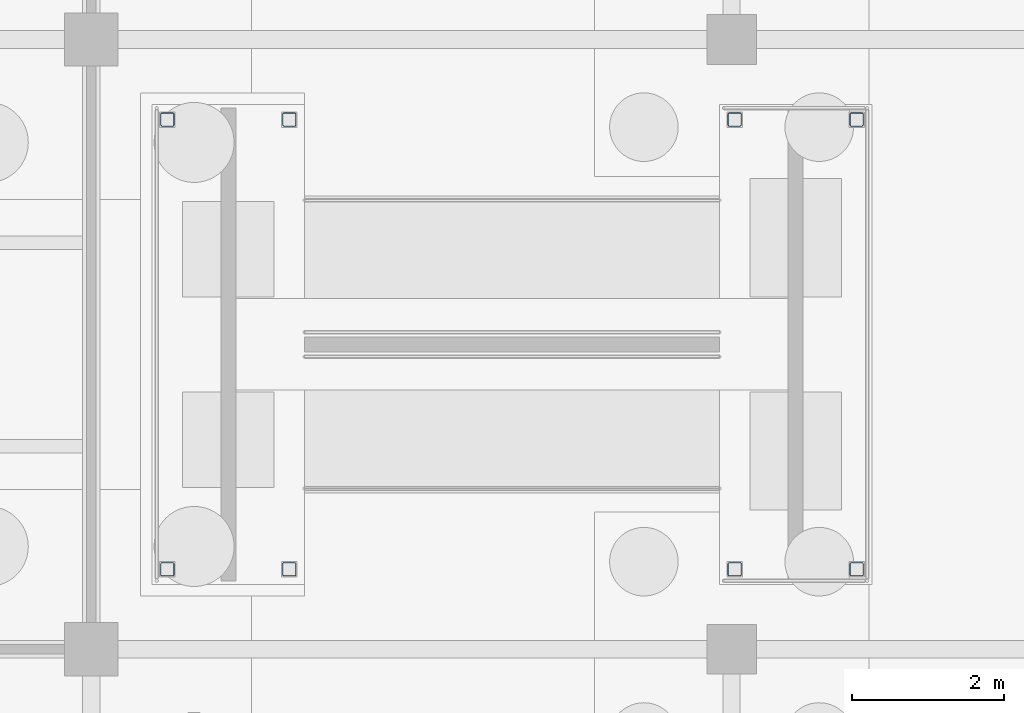
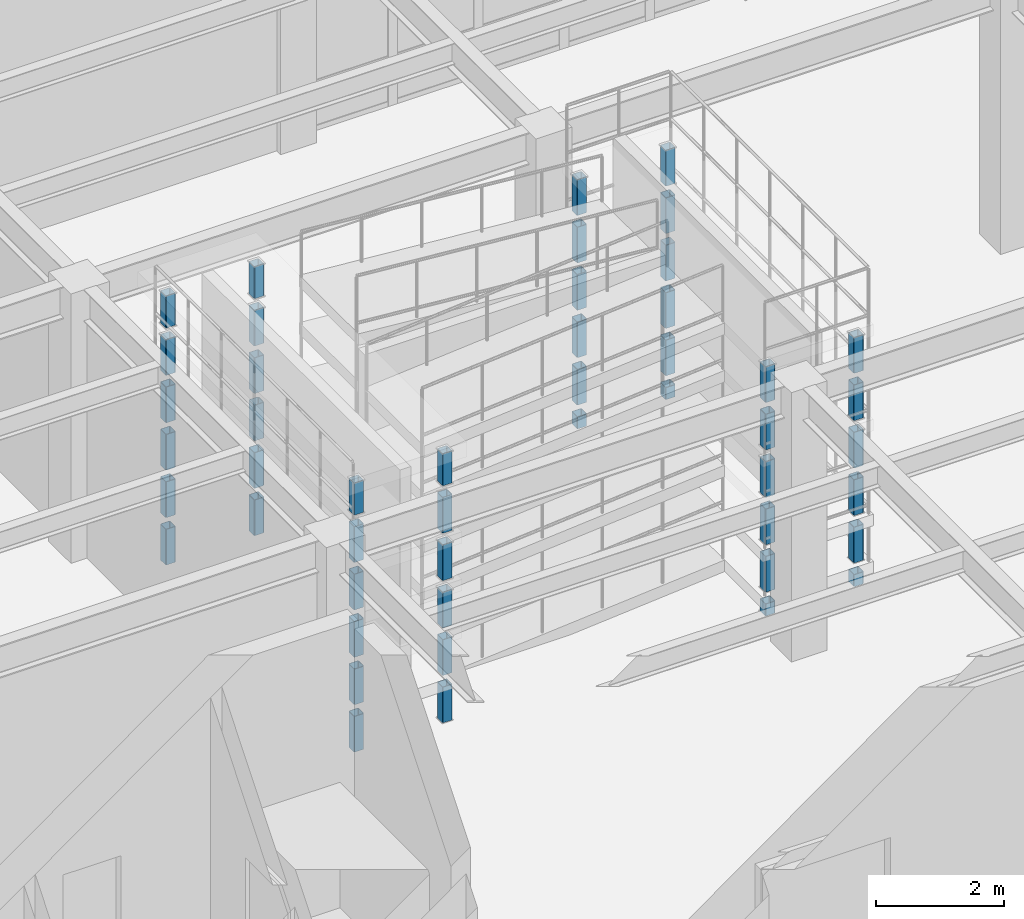
# One storey, part 21 of 138: 48 columns.
"""IFC4 building model written with IfcOpenShell, lengths in metres."""

from ifc_helpers import new_model, si_unit, direction, frame, origin, origin_2d, place, context, subcontext, project, spatial, hollow_rectangle, extrude, material, material_profile, profile_set, type_object, element, save


model = new_model("IFC4")

# Units and contexts
model_context = context("Model", 3, precision=1e-05, world=origin(), true_north=direction((0.0, 1.0)))
body_context = subcontext(model_context, "Body", "Model", "MODEL_VIEW")
ifc_project = project(units=[si_unit("LENGTHUNIT", "METRE"), si_unit("AREAUNIT", "SQUARE_METRE"), si_unit("VOLUMEUNIT", "CUBIC_METRE"), si_unit("PLANEANGLEUNIT", "RADIAN"), si_unit("MASSUNIT", "GRAM", prefix="KILO")], contexts=[model_context])

# Site, building, storey
site_placement = place(None, origin())
site = spatial("IfcSite", under=ifc_project, at=site_placement, CompositionType="ELEMENT")
building_placement = place(site_placement, origin())
building = spatial("IfcBuilding", under=site, at=building_placement, Name="Kranzveld Transit Interchange", CompositionType="ELEMENT")
storey_placement = place(building_placement, origin())
storey = spatial("IfcBuildingStorey", under=building, at=storey_placement, Name="L00", CompositionType="ELEMENT", Elevation=0.0)

# Columns
ifc_material = material(Name="Steel S355JR", Category="steel")
ifc_material_profile = material_profile(ifc_material, hollow_rectangle(XDim=0.179931640625, YDim=0.179931640625, WallThickness=0.008056640625, InnerFilletRadius=0.011962890625, OuterFilletRadius=0.02001953125, at=origin_2d()), Name="SHS 180x180x8")
ifc_profile_set = profile_set([ifc_material_profile], Name="Steel S355JR")
column_type = type_object("IfcColumnType", Name="Landing Post SHS 180x180x8 S355JR", PredefinedType="COLUMN", material=ifc_profile_set)
for number, where, z_axis, x_axis, name in (
    (1, (25.239990234375, 25.050048828125, 0.001953125), (0.0, 0.0, 1.0), (1.0, 0.0, 0.0), "L00 RMP-1 Landing 1 Support Post 1"),
    (2, (25.239990234375, 30.949951171875, 0.001953125), (0.0, 0.0, 1.0), (1.0, 0.0, 0.0), "L00 RMP-1 Landing 1 Support Post 2"),
    (3, (26.840087890625, 25.050048828125, 0.001953125), (0.0, 0.0, 1.0), (1.0, 0.0, 0.0), "L00 RMP-1 Landing 1 Support Post 3"),
    (4, (26.840087890625, 30.949951171875, 0.001953125), (0.0, 0.0, 1.0), (1.0, 0.0, 0.0), "L00 RMP-1 Landing 1 Support Post 4"),
):
    element("IfcColumn", number, at=place(storey_placement, frame(where, z_axis=z_axis, x_axis=x_axis)), inside=storey, type_object=column_type, Name=name, PredefinedType="COLUMN", context=body_context, shape_type="SweptSolid", body=[
        extrude(hollow_rectangle(XDim=0.179931640625, YDim=0.179931640625, WallThickness=0.008056640625, InnerFilletRadius=0.011962890625, OuterFilletRadius=0.02001953125, at=origin_2d()), origin(), (0.0, 0.0, 1.0), 0.2294921875),
    ])
for number, where, z_axis, x_axis, name in (
    (5, (17.800048828125, 25.050048828125, 0.001953125), (0.0, 0.0, 1.0), (1.0, 0.0, 0.0), "L00 RMP-1 Landing 2 Support Post 1"),
    (6, (17.800048828125, 30.949951171875, 0.001953125), (0.0, 0.0, 1.0), (1.0, 0.0, 0.0), "L00 RMP-1 Landing 2 Support Post 2"),
    (7, (19.39990234375, 25.050048828125, 0.001953125), (0.0, 0.0, 1.0), (1.0, 0.0, 0.0), "L00 RMP-1 Landing 2 Support Post 3"),
    (8, (19.39990234375, 30.949951171875, 0.001953125), (0.0, 0.0, 1.0), (1.0, 0.0, 0.0), "L00 RMP-1 Landing 2 Support Post 4"),
    (9, (25.239990234375, 25.050048828125, 0.455322265625), (0.0, 0.0, 1.0), (1.0, 0.0, 0.0), "L00 RMP-1 Landing 3 Support Post 1"),
    (10, (25.239990234375, 30.949951171875, 0.455322265625), (0.0, 0.0, 1.0), (1.0, 0.0, 0.0), "L00 RMP-1 Landing 3 Support Post 2"),
    (11, (26.840087890625, 25.050048828125, 0.455322265625), (0.0, 0.0, 1.0), (1.0, 0.0, 0.0), "L00 RMP-1 Landing 3 Support Post 3"),
    (12, (26.840087890625, 30.949951171875, 0.455322265625), (0.0, 0.0, 1.0), (1.0, 0.0, 0.0), "L00 RMP-1 Landing 3 Support Post 4"),
    (13, (17.800048828125, 25.050048828125, 0.90869140625), (0.0, 0.0, 1.0), (1.0, 0.0, 0.0), "L00 RMP-1 Landing 4 Support Post 1"),
    (14, (17.800048828125, 30.949951171875, 0.90869140625), (0.0, 0.0, 1.0), (1.0, 0.0, 0.0), "L00 RMP-1 Landing 4 Support Post 2"),
    (15, (19.39990234375, 25.050048828125, 0.90869140625), (0.0, 0.0, 1.0), (1.0, 0.0, 0.0), "L00 RMP-1 Landing 4 Support Post 3"),
    (16, (19.39990234375, 30.949951171875, 0.90869140625), (0.0, 0.0, 1.0), (1.0, 0.0, 0.0), "L00 RMP-1 Landing 4 Support Post 4"),
    (17, (25.239990234375, 25.050048828125, 1.362060546875), (0.0, 0.0, 1.0), (1.0, 0.0, 0.0), "L00 RMP-1 Landing 5 Support Post 1"),
    (18, (25.239990234375, 30.949951171875, 1.362060546875), (0.0, 0.0, 1.0), (1.0, 0.0, 0.0), "L00 RMP-1 Landing 5 Support Post 2"),
    (19, (26.840087890625, 25.050048828125, 1.362060546875), (0.0, 0.0, 1.0), (1.0, 0.0, 0.0), "L00 RMP-1 Landing 5 Support Post 3"),
    (20, (26.840087890625, 30.949951171875, 1.362060546875), (0.0, 0.0, 1.0), (1.0, 0.0, 0.0), "L00 RMP-1 Landing 5 Support Post 4"),
    (21, (17.800048828125, 25.050048828125, 1.8154296875), (0.0, 0.0, 1.0), (1.0, 0.0, 0.0), "L00 RMP-1 Landing 6 Support Post 1"),
    (22, (17.800048828125, 30.949951171875, 1.8154296875), (0.0, 0.0, 1.0), (1.0, 0.0, 0.0), "L00 RMP-1 Landing 6 Support Post 2"),
    (23, (19.39990234375, 25.050048828125, 1.8154296875), (0.0, 0.0, 1.0), (1.0, 0.0, 0.0), "L00 RMP-1 Landing 6 Support Post 3"),
    (24, (19.39990234375, 30.949951171875, 1.8154296875), (0.0, 0.0, 1.0), (1.0, 0.0, 0.0), "L00 RMP-1 Landing 6 Support Post 4"),
):
    element("IfcColumn", number, at=place(storey_placement, frame(where, z_axis=z_axis, x_axis=x_axis)), inside=storey, type_object=column_type, Name=name, PredefinedType="COLUMN", context=body_context, shape_type="SweptSolid", body=[
        extrude(hollow_rectangle(XDim=0.179931640625, YDim=0.179931640625, WallThickness=0.008056640625, InnerFilletRadius=0.011962890625, OuterFilletRadius=0.02001953125, at=origin_2d()), origin(), (0.0, 0.0, 1.0), 0.6826171875),
    ])
for number, where, z_axis, x_axis, name in (
    (25, (25.239990234375, 25.050048828125, 2.2685546875), (0.0, 0.0, 1.0), (1.0, 0.0, 0.0), "L00 RMP-1 Landing 7 Support Post 1"),
    (26, (25.239990234375, 30.949951171875, 2.2685546875), (0.0, 0.0, 1.0), (1.0, 0.0, 0.0), "L00 RMP-1 Landing 7 Support Post 2"),
    (27, (26.840087890625, 25.050048828125, 2.2685546875), (0.0, 0.0, 1.0), (1.0, 0.0, 0.0), "L00 RMP-1 Landing 7 Support Post 3"),
    (28, (26.840087890625, 30.949951171875, 2.2685546875), (0.0, 0.0, 1.0), (1.0, 0.0, 0.0), "L00 RMP-1 Landing 7 Support Post 4"),
    (29, (17.800048828125, 25.050048828125, 2.721923828125), (0.0, 0.0, 1.0), (1.0, 0.0, 0.0), "L00 RMP-1 Landing 8 Support Post 1"),
    (30, (17.800048828125, 30.949951171875, 2.721923828125), (0.0, 0.0, 1.0), (1.0, 0.0, 0.0), "L00 RMP-1 Landing 8 Support Post 2"),
    (31, (19.39990234375, 25.050048828125, 2.721923828125), (0.0, 0.0, 1.0), (1.0, 0.0, 0.0), "L00 RMP-1 Landing 8 Support Post 3"),
    (32, (19.39990234375, 30.949951171875, 2.721923828125), (0.0, 0.0, 1.0), (1.0, 0.0, 0.0), "L00 RMP-1 Landing 8 Support Post 4"),
):
    element("IfcColumn", number, at=place(storey_placement, frame(where, z_axis=z_axis, x_axis=x_axis)), inside=storey, type_object=column_type, Name=name, PredefinedType="COLUMN", context=body_context, shape_type="SweptSolid", body=[
        extrude(hollow_rectangle(XDim=0.179931640625, YDim=0.179931640625, WallThickness=0.008056640625, InnerFilletRadius=0.011962890625, OuterFilletRadius=0.02001953125, at=origin_2d()), origin(), (0.0, 0.0, 1.0), 0.682861328125),
    ])
for number, where, z_axis, x_axis, name in (
    (33, (25.239990234375, 25.050048828125, 3.17529296875), (0.0, 0.0, 1.0), (1.0, 0.0, 0.0), "L00 RMP-1 Landing 9 Support Post 1"),
    (34, (25.239990234375, 30.949951171875, 3.17529296875), (0.0, 0.0, 1.0), (1.0, 0.0, 0.0), "L00 RMP-1 Landing 9 Support Post 2"),
    (35, (26.840087890625, 25.050048828125, 3.17529296875), (0.0, 0.0, 1.0), (1.0, 0.0, 0.0), "L00 RMP-1 Landing 9 Support Post 3"),
    (36, (26.840087890625, 30.949951171875, 3.17529296875), (0.0, 0.0, 1.0), (1.0, 0.0, 0.0), "L00 RMP-1 Landing 9 Support Post 4"),
    (37, (17.800048828125, 25.050048828125, 3.628662109375), (0.0, 0.0, 1.0), (1.0, 0.0, 0.0), "L00 RMP-1 Landing 10 Support Post 1"),
    (38, (17.800048828125, 30.949951171875, 3.628662109375), (0.0, 0.0, 1.0), (1.0, 0.0, 0.0), "L00 RMP-1 Landing 10 Support Post 2"),
    (39, (19.39990234375, 25.050048828125, 3.628662109375), (0.0, 0.0, 1.0), (1.0, 0.0, 0.0), "L00 RMP-1 Landing 10 Support Post 3"),
    (40, (19.39990234375, 30.949951171875, 3.628662109375), (0.0, 0.0, 1.0), (1.0, 0.0, 0.0), "L00 RMP-1 Landing 10 Support Post 4"),
    (41, (25.239990234375, 25.050048828125, 4.08203125), (0.0, 0.0, 1.0), (1.0, 0.0, 0.0), "L00 RMP-1 Landing 11 Support Post 1"),
    (42, (25.239990234375, 30.949951171875, 4.08203125), (0.0, 0.0, 1.0), (1.0, 0.0, 0.0), "L00 RMP-1 Landing 11 Support Post 2"),
    (43, (26.840087890625, 25.050048828125, 4.08203125), (0.0, 0.0, 1.0), (1.0, 0.0, 0.0), "L00 RMP-1 Landing 11 Support Post 3"),
    (44, (26.840087890625, 30.949951171875, 4.08203125), (0.0, 0.0, 1.0), (1.0, 0.0, 0.0), "L00 RMP-1 Landing 11 Support Post 4"),
):
    element("IfcColumn", number, at=place(storey_placement, frame(where, z_axis=z_axis, x_axis=x_axis)), inside=storey, type_object=column_type, Name=name, PredefinedType="COLUMN", context=body_context, shape_type="SweptSolid", body=[
        extrude(hollow_rectangle(XDim=0.179931640625, YDim=0.179931640625, WallThickness=0.008056640625, InnerFilletRadius=0.011962890625, OuterFilletRadius=0.02001953125, at=origin_2d()), origin(), (0.0, 0.0, 1.0), 0.6826171875),
    ])
for number, where, z_axis, x_axis, name in (
    (45, (17.800048828125, 25.050048828125, 4.535400390625), (0.0, 0.0, 1.0), (1.0, 0.0, 0.0), "L00 RMP-1 Arrival Bridge Post 1"),
    (46, (17.800048828125, 30.949951171875, 4.535400390625), (0.0, 0.0, 1.0), (1.0, 0.0, 0.0), "L00 RMP-1 Arrival Bridge Post 2"),
    (47, (19.39990234375, 25.050048828125, 4.535400390625), (0.0, 0.0, 1.0), (1.0, 0.0, 0.0), "L00 RMP-1 Arrival Bridge Post 3"),
    (48, (19.39990234375, 30.949951171875, 4.535400390625), (0.0, 0.0, 1.0), (1.0, 0.0, 0.0), "L00 RMP-1 Arrival Bridge Post 4"),
):
    element("IfcColumn", number, at=place(storey_placement, frame(where, z_axis=z_axis, x_axis=x_axis)), inside=storey, type_object=column_type, Name=name, PredefinedType="COLUMN", context=body_context, shape_type="SweptSolid", body=[
        extrude(hollow_rectangle(XDim=0.179931640625, YDim=0.179931640625, WallThickness=0.008056640625, InnerFilletRadius=0.011962890625, OuterFilletRadius=0.02001953125, at=origin_2d()), origin(), (0.0, 0.0, 1.0), 0.610595703125),
    ])

save(model, "model.ifc")
